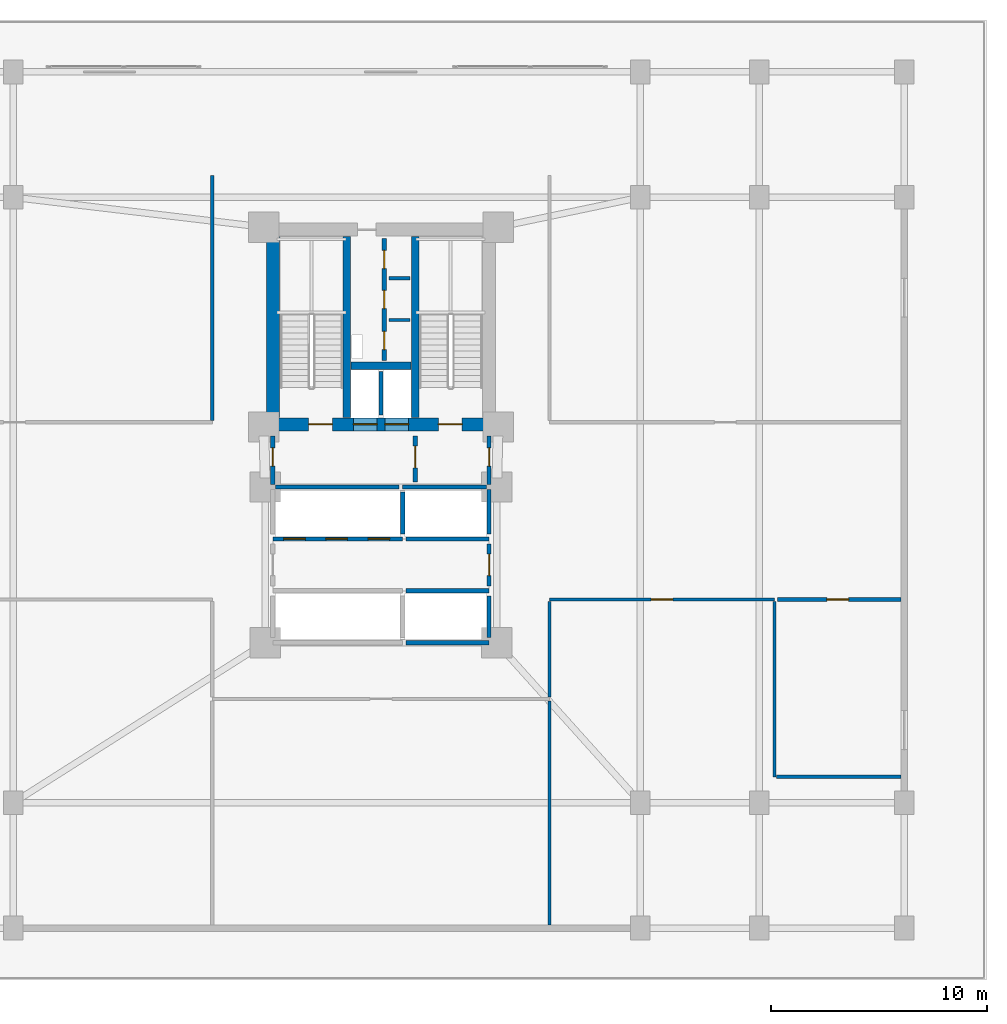
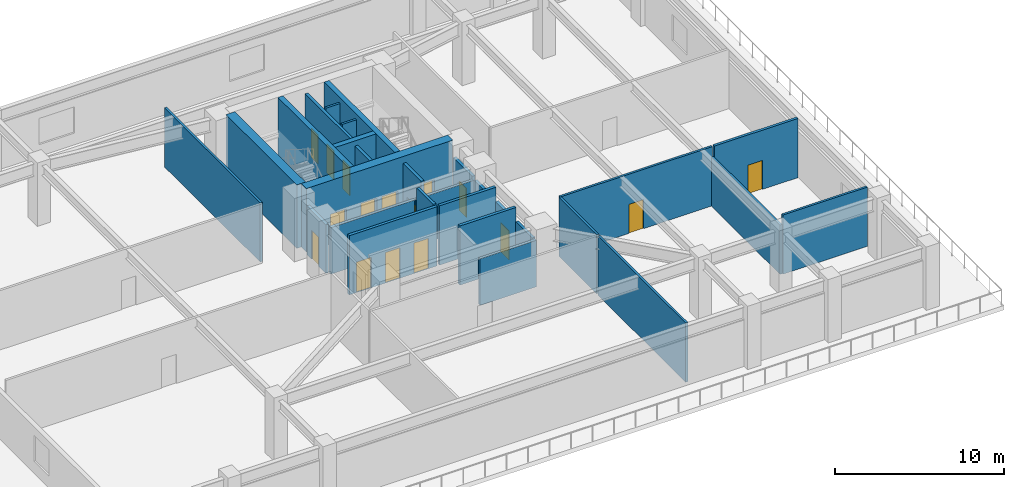
# One storey, part 6 of 10: 29 walls, 16 doors, 16 openings.
"""IFC4 building model written with IfcOpenShell, lengths in metres."""

from ifc_helpers import new_model, si_unit, direction, frame, frame_2d, origin, place, context, subcontext, project, spatial, rectangle, extrude, material, layer, layer_set, type_object, element, fill, save


model = new_model("IFC4")

# Units and contexts
model_context = context("Model", 3, precision=1e-05, world=origin(), true_north=direction((0.0, 1.0)))
body_context = subcontext(model_context, "Body", "Model", "MODEL_VIEW")
ifc_project = project(units=[si_unit("LENGTHUNIT", "METRE"), si_unit("AREAUNIT", "SQUARE_METRE"), si_unit("VOLUMEUNIT", "CUBIC_METRE"), si_unit("PLANEANGLEUNIT", "RADIAN"), si_unit("MASSUNIT", "GRAM", prefix="KILO")], contexts=[model_context])

# Site, building, storey
site_placement = place(None, origin())
site = spatial("IfcSite", under=ifc_project, at=site_placement, CompositionType="ELEMENT")
building_placement = place(site_placement, origin())
building = spatial("IfcBuilding", under=site, at=building_placement, Name="Varnakorn Sky Granary", CompositionType="ELEMENT")
storey_placement = place(building_placement, frame((0.0, 0.0, 13.800048828125)))
storey = spatial("IfcBuildingStorey", under=building, at=storey_placement, Name="L03", CompositionType="ELEMENT", Elevation=13.800048828125)

# Walls
ifc_material_1 = material(Name="Concrete C50/60", Category="concrete")
ifc_layer_1 = layer(ifc_material_1, 0.35009765625, Name="Concrete C50/60")
ifc_layer_set_1 = layer_set([ifc_layer_1], Name="Concrete C50/60")
wall_type_1 = type_object("IfcWallType", Name="WT-CW-INT-350", PredefinedType="SHEAR", material=ifc_layer_set_1)
for number, where, z_axis, x_axis, name in (
    (1, (1.419921875, 3.81005859375, 0.0), (0.0, 0.0, 1.0), (0.0, 1.0, 0.0), "Stair ST-1 Core Wall L03"),
    (2, (4.580078125, 3.81005859375, 0.0), (0.0, 0.0, 1.0), (0.0, 1.0, 0.0), "Stair ST-2 Core Wall L03"),
):
    element("IfcWall", number, at=place(storey_placement, frame(where, z_axis=z_axis, x_axis=x_axis)), inside=storey, type_object=wall_type_1, Name=name, PredefinedType="SHEAR", context=body_context, shape_type="SweptSolid", body=[
        extrude(rectangle(XDim=8.3798828125, YDim=0.35009765625, at=frame_2d((4.18994140625, 0.0))), origin(), (0.0, 0.0, 1.0), 4.592041015625),
    ])
wall_1_placement = place(storey_placement, frame((1.610107421875, 6.199951171875, 0.0), z_axis=(0.0, 0.0, 1.0), x_axis=(1.0, 0.0, 0.0)))
element("IfcWall", 3, at=wall_1_placement, inside=storey, type_object=wall_type_1, Name="Core Lift Shaft Cross Wall L03", PredefinedType="SHEAR", context=body_context, shape_type="SweptSolid", body=[
    extrude(rectangle(XDim=2.77978515625, YDim=0.35009765625, at=frame_2d((1.389892578125, 0.0))), origin(), (0.0, 0.0, 1.0), 4.592041015625),
])

# Wall, openings, doors
ifc_material_2 = material(Name="Concrete C60/75", Category="concrete")
ifc_layer_2 = layer(ifc_material_2, 0.60009765625, Name="Concrete C60/75")
ifc_layer_set_2 = layer_set([ifc_layer_2], Name="Concrete C60/75")
wall_type_2 = type_object("IfcWallType", Name="WT-CW-SHEAR-600", PredefinedType="SHEAR", material=ifc_layer_set_2)
wall_2_placement = place(storey_placement, frame((-2.0, 3.5, 0.0), z_axis=(0.0, 0.0, 1.0), x_axis=(1.0, 0.0, 0.0)))
wall_2 = element("IfcWall", 4, at=wall_2_placement, inside=storey, type_object=wall_type_2, Name="Core South Shear Wall L03", PredefinedType="SHEAR", context=body_context, shape_type="SweptSolid", body=[
    extrude(rectangle(XDim=10.0, YDim=0.60009765625, at=frame_2d((5.0, 0.0))), origin(), (0.0, 0.0, 1.0), 4.592041015625),
])
opening_1_placement = place(wall_2_placement, frame((1.64990234375, 0.0, 0.0)))
opening_1 = element("IfcOpeningElement", 5, at=opening_1_placement, cuts=wall_2, Name="Opening FD-90", PredefinedType="OPENING", context=body_context, shape_type="SweptSolid", body=[
    extrude(rectangle(XDim=1.10009765625, YDim=2.14990234375, at=frame_2d((0.550048828125, 1.074951171875))), frame((0.0, 0.31005859375, 0.0), z_axis=(0.0, -1.0, 0.0), x_axis=(1.0, 0.0, 0.0)), (0.0, 0.0, 1.0), 0.6201171875),
])
opening_2_placement = place(wall_2_placement, frame((7.64990234375, 0.0, 0.0)))
opening_2 = element("IfcOpeningElement", 6, at=opening_2_placement, cuts=wall_2, Name="Opening FD-90", PredefinedType="OPENING", context=body_context, shape_type="SweptSolid", body=[
    extrude(rectangle(XDim=1.10009765625, YDim=2.14990234375, at=frame_2d((0.550048828125, 1.074951171875))), frame((0.0, 0.31005859375, 0.0), z_axis=(0.0, -1.0, 0.0), x_axis=(1.0, 0.0, 0.0)), (0.0, 0.0, 1.0), 0.6201171875),
])
opening_3_placement = place(wall_2_placement, frame((3.719970703125, 0.0, 0.0)))
opening_3 = element("IfcOpeningElement", 7, at=opening_3_placement, cuts=wall_2, Name="Opening LD-01", PredefinedType="OPENING", context=body_context, shape_type="SweptSolid", body=[
    extrude(rectangle(XDim=1.10009765625, YDim=2.199951171875, at=frame_2d((0.550048828125, 1.10009765625))), frame((0.0, 0.31005859375, 0.0), z_axis=(0.0, -1.0, 0.0), x_axis=(1.0, 0.0, 0.0)), (0.0, 0.0, 1.0), 0.6201171875),
])
opening_4_placement = place(wall_2_placement, frame((5.179931640625, 0.0, 0.0)))
opening_4 = element("IfcOpeningElement", 8, at=opening_4_placement, cuts=wall_2, Name="Opening LD-01", PredefinedType="OPENING", context=body_context, shape_type="SweptSolid", body=[
    extrude(rectangle(XDim=1.10009765625, YDim=2.199951171875, at=frame_2d((0.550048828125, 1.10009765625))), frame((0.0, 0.31005859375, 0.0), z_axis=(0.0, -1.0, 0.0), x_axis=(1.0, 0.0, 0.0)), (0.0, 0.0, 1.0), 0.6201171875),
])
ifc_material_3 = material(Name="Brushed Bronze Stainless Steel", Category="steel")
door_type_1 = type_object("IfcDoorType", Name="DR-LD-1100", OperationType="DOUBLE_DOOR_SLIDING", PredefinedType="DOOR", material=ifc_material_3)
door_1_placement = place(opening_3_placement, origin())
door_1 = element("IfcDoor", 9, at=door_1_placement, inside=storey, type_object=door_type_1, Name="Firefighting Lift FFL-1 Landing Door L03", OperationType="DOUBLE_DOOR_SLIDING", OverallHeight=2.199951171875, OverallWidth=1.10009765625, PredefinedType="DOOR", context=body_context, shape_type="SweptSolid", body=[
    extrude(rectangle(XDim=1.10009765625, YDim=2.199951171875, at=frame_2d((0.550048828125, 1.10009765625))), frame((0.0, 0.02490234375, 0.0), z_axis=(0.0, -1.0, 0.0), x_axis=(1.0, 0.0, 0.0)), (0.0, 0.0, 1.0), 0.050048828125),
])
fill(opening_3, door_1)
door_2_placement = place(opening_4_placement, origin())
door_2 = element("IfcDoor", 10, at=door_2_placement, inside=storey, type_object=door_type_1, Name="Firefighting Lift FFL-2 Landing Door L03", OperationType="DOUBLE_DOOR_SLIDING", OverallHeight=2.199951171875, OverallWidth=1.10009765625, PredefinedType="DOOR", context=body_context, shape_type="SweptSolid", body=[
    extrude(rectangle(XDim=1.10009765625, YDim=2.199951171875, at=frame_2d((0.550048828125, 1.10009765625))), frame((0.0, 0.02490234375, 0.0), z_axis=(0.0, -1.0, 0.0), x_axis=(1.0, 0.0, 0.0)), (0.0, 0.0, 1.0), 0.050048828125),
])
fill(opening_4, door_2)
ifc_material_4 = material(Name="Galvanised Painted Steel Leaf", Category="steel")
door_type_2 = type_object("IfcDoorType", Name="DR-STAIR-1100", OperationType="NOTDEFINED", PredefinedType="DOOR", material=ifc_material_4)
door_3_placement = place(opening_1_placement, origin())
door_3 = element("IfcDoor", 11, at=door_3_placement, inside=storey, type_object=door_type_2, Name="Stair ST-1 Protected Fire Door L03", OperationType="SINGLE_SWING_LEFT", OverallHeight=2.14990234375, OverallWidth=1.10009765625, PredefinedType="DOOR", context=body_context, shape_type="SweptSolid", body=[
    extrude(rectangle(XDim=1.10009765625, YDim=2.14990234375, at=frame_2d((0.550048828125, 1.074951171875))), frame((0.0, 0.02490234375, 0.0), z_axis=(0.0, -1.0, 0.0), x_axis=(1.0, 0.0, 0.0)), (0.0, 0.0, 1.0), 0.050048828125),
])
fill(opening_1, door_3)
door_4_placement = place(opening_2_placement, origin())
door_4 = element("IfcDoor", 12, at=door_4_placement, inside=storey, type_object=door_type_2, Name="Stair ST-2 Protected Fire Door L03", OperationType="SINGLE_SWING_RIGHT", OverallHeight=2.14990234375, OverallWidth=1.10009765625, PredefinedType="DOOR", context=body_context, shape_type="SweptSolid", body=[
    extrude(rectangle(XDim=1.10009765625, YDim=2.14990234375, at=frame_2d((0.550048828125, 1.074951171875))), frame((0.0, 0.02490234375, 0.0), z_axis=(0.0, -1.0, 0.0), x_axis=(1.0, 0.0, 0.0)), (0.0, 0.0, 1.0), 0.050048828125),
])
fill(opening_2, door_4)

# Wall
wall_3_placement = place(storey_placement, frame((-2.0, 3.81005859375, 0.0), z_axis=(0.0, 0.0, 1.0), x_axis=(0.0, 1.0, 0.0)))
element("IfcWall", 13, at=wall_3_placement, inside=storey, type_object=wall_type_2, Name="Core West Shear Wall L03", PredefinedType="SHEAR", context=body_context, shape_type="SweptSolid", body=[
    extrude(rectangle(XDim=8.3798828125, YDim=0.60009765625, at=frame_2d((4.18994140625, 0.0))), origin(), (0.0, 0.0, 1.0), 4.592041015625),
])

# Wall, openings, doors
ifc_material_5 = material(Name="Autoclaved Aerated Concrete Blockwork", Category="masonry")
ifc_layer_3 = layer(ifc_material_5, 0.199951171875, Name="Autoclaved Aerated Concrete Blockwork")
ifc_layer_set_3 = layer_set([ifc_layer_3], Name="Autoclaved Aerated Concrete Blockwork")
wall_type_3 = type_object("IfcWallType", Name="WT-FIRE-200", PredefinedType="MOVABLE", material=ifc_layer_set_3)
wall_4_placement = place(storey_placement, frame((3.14990234375, 6.449951171875, 0.0), z_axis=(0.0, 0.0, 1.0), x_axis=(0.0, 1.0, 0.0)))
wall_4 = element("IfcWall", 14, at=wall_4_placement, inside=storey, type_object=wall_type_3, Name="Interior Partition Wall L03-015", PredefinedType="MOVABLE", context=body_context, shape_type="SweptSolid", body=[
    extrude(rectangle(XDim=5.650146484375, YDim=0.199951171875, at=frame_2d((2.8251953125, 0.0))), origin(), (0.0, 0.0, 1.0), 4.280029296875),
])
opening_5_placement = place(wall_4_placement, frame((0.5, 0.0, 0.0)))
opening_5 = element("IfcOpeningElement", 15, at=opening_5_placement, cuts=wall_4, Name="Opening FD-60N", PredefinedType="OPENING", context=body_context, shape_type="SweptSolid", body=[
    extrude(rectangle(XDim=0.85009765625, YDim=2.10009765625, at=frame_2d((0.425048828125, 1.050048828125))), frame((0.0, 0.10986328125, 0.0), z_axis=(0.0, -1.0, 0.0), x_axis=(1.0, 0.0, 0.0)), (0.0, 0.0, 1.0), 0.219970703125),
])
opening_6_placement = place(wall_4_placement, frame((2.39990234375, 0.0, 0.0)))
opening_6 = element("IfcOpeningElement", 16, at=opening_6_placement, cuts=wall_4, Name="Opening FD-60N", PredefinedType="OPENING", context=body_context, shape_type="SweptSolid", body=[
    extrude(rectangle(XDim=0.85009765625, YDim=2.10009765625, at=frame_2d((0.425048828125, 1.050048828125))), frame((0.0, 0.10986328125, 0.0), z_axis=(0.0, -1.0, 0.0), x_axis=(1.0, 0.0, 0.0)), (0.0, 0.0, 1.0), 0.219970703125),
])
opening_7_placement = place(wall_4_placement, frame((4.25, 0.0, 0.0)))
opening_7 = element("IfcOpeningElement", 17, at=opening_7_placement, cuts=wall_4, Name="Opening FD-60N", PredefinedType="OPENING", context=body_context, shape_type="SweptSolid", body=[
    extrude(rectangle(XDim=0.85009765625, YDim=2.10009765625, at=frame_2d((0.425048828125, 1.050048828125))), frame((0.0, 0.10986328125, 0.0), z_axis=(0.0, -1.0, 0.0), x_axis=(1.0, 0.0, 0.0)), (0.0, 0.0, 1.0), 0.219970703125),
])
ifc_material_6 = material(Name="Acoustic Timber Fire Leaf", Category="wood")
door_type_3 = type_object("IfcDoorType", Name="DR-FD60-850", OperationType="NOTDEFINED", PredefinedType="DOOR", material=ifc_material_6)
door_5_placement = place(opening_5_placement, origin())
door_5 = element("IfcDoor", 18, at=door_5_placement, inside=storey, type_object=door_type_3, Name="Interior Door L03-015-1", OperationType="SINGLE_SWING_RIGHT", OverallHeight=2.10009765625, OverallWidth=0.85009765625, PredefinedType="DOOR", context=body_context, shape_type="SweptSolid", body=[
    extrude(rectangle(XDim=0.85009765625, YDim=2.10009765625, at=frame_2d((0.425048828125, 1.050048828125))), frame((0.0, 0.02490234375, 0.0), z_axis=(0.0, -1.0, 0.0), x_axis=(1.0, 0.0, 0.0)), (0.0, 0.0, 1.0), 0.050048828125),
])
fill(opening_5, door_5)
door_6_placement = place(opening_6_placement, origin())
door_6 = element("IfcDoor", 19, at=door_6_placement, inside=storey, type_object=door_type_3, Name="Interior Door L03-015-2", OperationType="SINGLE_SWING_LEFT", OverallHeight=2.10009765625, OverallWidth=0.85009765625, PredefinedType="DOOR", context=body_context, shape_type="SweptSolid", body=[
    extrude(rectangle(XDim=0.85009765625, YDim=2.10009765625, at=frame_2d((0.425048828125, 1.050048828125))), frame((0.0, 0.02490234375, 0.0), z_axis=(0.0, -1.0, 0.0), x_axis=(1.0, 0.0, 0.0)), (0.0, 0.0, 1.0), 0.050048828125),
])
fill(opening_6, door_6)
door_7_placement = place(opening_7_placement, origin())
door_7 = element("IfcDoor", 20, at=door_7_placement, inside=storey, type_object=door_type_3, Name="Interior Door L03-015-3", OperationType="SINGLE_SWING_RIGHT", OverallHeight=2.10009765625, OverallWidth=0.85009765625, PredefinedType="DOOR", context=body_context, shape_type="SweptSolid", body=[
    extrude(rectangle(XDim=0.85009765625, YDim=2.10009765625, at=frame_2d((0.425048828125, 1.050048828125))), frame((0.0, 0.02490234375, 0.0), z_axis=(0.0, -1.0, 0.0), x_axis=(1.0, 0.0, 0.0)), (0.0, 0.0, 1.0), 0.050048828125),
])
fill(opening_7, door_7)

# Wall, opening, door
wall_5_placement = place(storey_placement, frame((4.580078125, 0.830078125, 0.0), z_axis=(0.0, 0.0, 1.0), x_axis=(0.0, 1.0, 0.0)))
wall_5 = element("IfcWall", 21, at=wall_5_placement, inside=storey, type_object=wall_type_3, Name="Interior Partition Wall L03-016", PredefinedType="MOVABLE", context=body_context, shape_type="SweptSolid", body=[
    extrude(rectangle(XDim=2.139892578125, YDim=0.199951171875, at=frame_2d((1.06982421875, 0.0))), origin(), (0.0, 0.0, 1.0), 4.280029296875),
])
opening_8_placement = place(wall_5_placement, frame((0.659912109375, 0.0, 0.0)))
opening_8 = element("IfcOpeningElement", 22, at=opening_8_placement, cuts=wall_5, Name="Opening FD-60", PredefinedType="OPENING", context=body_context, shape_type="SweptSolid", body=[
    extrude(rectangle(XDim=1.0, YDim=2.10009765625, at=frame_2d((0.5, 1.050048828125))), frame((0.0, 0.10986328125, 0.0), z_axis=(0.0, -1.0, 0.0), x_axis=(1.0, 0.0, 0.0)), (0.0, 0.0, 1.0), 0.219970703125),
])
door_type_4 = type_object("IfcDoorType", Name="DR-FD60-1000", OperationType="NOTDEFINED", PredefinedType="DOOR", material=ifc_material_6)
door_8_placement = place(opening_8_placement, origin())
door_8 = element("IfcDoor", 23, at=door_8_placement, inside=storey, type_object=door_type_4, Name="Interior Door L03-016-1", OperationType="SINGLE_SWING_LEFT", OverallHeight=2.10009765625, OverallWidth=1.0, PredefinedType="DOOR", context=body_context, shape_type="SweptSolid", body=[
    extrude(rectangle(XDim=1.0, YDim=2.10009765625, at=frame_2d((0.5, 1.050048828125))), frame((0.0, 0.02490234375, 0.0), z_axis=(0.0, -1.0, 0.0), x_axis=(1.0, 0.0, 0.0)), (0.0, 0.0, 1.0), 0.050048828125),
])
fill(opening_8, door_8)

wall_6_placement = place(storey_placement, frame((-2.0, 0.719970703125, 0.0), z_axis=(0.0, 0.0, 1.0), x_axis=(0.0, 1.0, 0.0)))
wall_6 = element("IfcWall", 24, at=wall_6_placement, inside=storey, type_object=wall_type_3, Name="Interior Partition Wall L03-017", PredefinedType="MOVABLE", context=body_context, shape_type="SweptSolid", body=[
    extrude(rectangle(XDim=2.25, YDim=0.199951171875, at=frame_2d((1.125, 0.0))), origin(), (0.0, 0.0, 1.0), 3.511962890625),
])
opening_9_placement = place(wall_6_placement, frame((0.844970703125, 0.0, 0.0)))
opening_9 = element("IfcOpeningElement", 25, at=opening_9_placement, cuts=wall_6, Name="Opening FD-60N", PredefinedType="OPENING", context=body_context, shape_type="SweptSolid", body=[
    extrude(rectangle(XDim=0.85009765625, YDim=2.10009765625, at=frame_2d((0.425048828125, 1.050048828125))), frame((0.0, 0.10986328125, 0.0), z_axis=(0.0, -1.0, 0.0), x_axis=(1.0, 0.0, 0.0)), (0.0, 0.0, 1.0), 0.219970703125),
])
door_9_placement = place(opening_9_placement, origin())
door_9 = element("IfcDoor", 26, at=door_9_placement, inside=storey, type_object=door_type_3, Name="Interior Door L03-017-1", OperationType="SINGLE_SWING_RIGHT", OverallHeight=2.10009765625, OverallWidth=0.85009765625, PredefinedType="DOOR", context=body_context, shape_type="SweptSolid", body=[
    extrude(rectangle(XDim=0.85009765625, YDim=2.10009765625, at=frame_2d((0.425048828125, 1.050048828125))), frame((0.0, 0.02490234375, 0.0), z_axis=(0.0, -1.0, 0.0), x_axis=(1.0, 0.0, 0.0)), (0.0, 0.0, 1.0), 0.050048828125),
])
fill(opening_9, door_9)

wall_7_placement = place(storey_placement, frame((8.0, 0.719970703125, 0.0), z_axis=(0.0, 0.0, 1.0), x_axis=(0.0, 1.0, 0.0)))
wall_7 = element("IfcWall", 27, at=wall_7_placement, inside=storey, type_object=wall_type_3, Name="Interior Partition Wall L03-018", PredefinedType="MOVABLE", context=body_context, shape_type="SweptSolid", body=[
    extrude(rectangle(XDim=2.25, YDim=0.199951171875, at=frame_2d((1.125, 0.0))), origin(), (0.0, 0.0, 1.0), 3.511962890625),
])
opening_10_placement = place(wall_7_placement, frame((0.844970703125, 0.0, 0.0)))
opening_10 = element("IfcOpeningElement", 28, at=opening_10_placement, cuts=wall_7, Name="Opening FD-60N", PredefinedType="OPENING", context=body_context, shape_type="SweptSolid", body=[
    extrude(rectangle(XDim=0.85009765625, YDim=2.10009765625, at=frame_2d((0.425048828125, 1.050048828125))), frame((0.0, 0.10986328125, 0.0), z_axis=(0.0, -1.0, 0.0), x_axis=(1.0, 0.0, 0.0)), (0.0, 0.0, 1.0), 0.219970703125),
])
door_10_placement = place(opening_10_placement, origin())
door_10 = element("IfcDoor", 29, at=door_10_placement, inside=storey, type_object=door_type_3, Name="Interior Door L03-018-1", OperationType="SINGLE_SWING_LEFT", OverallHeight=2.10009765625, OverallWidth=0.85009765625, PredefinedType="DOOR", context=body_context, shape_type="SweptSolid", body=[
    extrude(rectangle(XDim=0.85009765625, YDim=2.10009765625, at=frame_2d((0.425048828125, 1.050048828125))), frame((0.0, 0.02490234375, 0.0), z_axis=(0.0, -1.0, 0.0), x_axis=(1.0, 0.0, 0.0)), (0.0, 0.0, 1.0), 0.050048828125),
])
fill(opening_10, door_10)

wall_8_placement = place(storey_placement, frame((8.0, -3.969970703125, 0.0), z_axis=(0.0, 0.0, 1.0), x_axis=(0.0, 1.0, 0.0)))
wall_8 = element("IfcWall", 30, at=wall_8_placement, inside=storey, type_object=wall_type_3, Name="Interior Partition Wall L03-020", PredefinedType="MOVABLE", context=body_context, shape_type="SweptSolid", body=[
    extrude(rectangle(XDim=1.93994140625, YDim=0.199951171875, at=frame_2d((0.969970703125, 0.0))), origin(), (0.0, 0.0, 1.0), 3.362060546875),
])
opening_11_placement = place(wall_8_placement, frame((0.469970703125, 0.0, 0.0)))
opening_11 = element("IfcOpeningElement", 31, at=opening_11_placement, cuts=wall_8, Name="Opening FD-60", PredefinedType="OPENING", context=body_context, shape_type="SweptSolid", body=[
    extrude(rectangle(XDim=1.0, YDim=2.10009765625, at=frame_2d((0.5, 1.050048828125))), frame((0.0, 0.10986328125, 0.0), z_axis=(0.0, -1.0, 0.0), x_axis=(1.0, 0.0, 0.0)), (0.0, 0.0, 1.0), 0.219970703125),
])
door_11_placement = place(opening_11_placement, origin())
door_11 = element("IfcDoor", 32, at=door_11_placement, inside=storey, type_object=door_type_4, Name="Interior Door L03-020-1", OperationType="SINGLE_SWING_LEFT", OverallHeight=2.10009765625, OverallWidth=1.0, PredefinedType="DOOR", context=body_context, shape_type="SweptSolid", body=[
    extrude(rectangle(XDim=1.0, YDim=2.10009765625, at=frame_2d((0.5, 1.050048828125))), frame((0.0, 0.02490234375, 0.0), z_axis=(0.0, -1.0, 0.0), x_axis=(1.0, 0.0, 0.0)), (0.0, 0.0, 1.0), 0.050048828125),
])
fill(opening_11, door_11)

# Wall
wall_9_placement = place(storey_placement, frame((-1.8798828125, 0.60009765625, 0.0), z_axis=(0.0, 0.0, 1.0), x_axis=(1.0, 0.0, 0.0)))
element("IfcWall", 33, at=wall_9_placement, inside=storey, type_object=wall_type_3, Name="Interior Partition Wall L03-029", PredefinedType="MOVABLE", context=body_context, shape_type="SweptSolid", body=[
    extrude(rectangle(XDim=5.719970703125, YDim=0.199951171875, at=frame_2d((2.85986328125, 0.0))), origin(), (0.0, 0.0, 1.0), 3.362060546875),
])

# Wall, opening, door
ifc_material_7 = material(Name="Gypsum Plasterboard on Steel Stud", Category="steel")
ifc_layer_4 = layer(ifc_material_7, 0.14990234375, Name="Gypsum Plasterboard on Steel Stud")
ifc_layer_set_4 = layer_set([ifc_layer_4], Name="Gypsum Plasterboard on Steel Stud")
wall_type_4 = type_object("IfcWallType", Name="WT-PART-150", PredefinedType="PARTITIONING", material=ifc_layer_set_4)
wall_10_placement = place(storey_placement, frame((10.800048828125, -4.60009765625, 0.0), z_axis=(0.0, 0.0, 1.0), x_axis=(1.0, 0.0, 0.0)))
wall_10 = element("IfcWall", 34, at=wall_10_placement, inside=storey, type_object=wall_type_4, Name="Interior Partition Wall L03-024", PredefinedType="PARTITIONING", context=body_context, shape_type="SweptSolid", body=[
    extrude(rectangle(XDim=10.39990234375, YDim=0.14990234375, at=frame_2d((5.199951171875, 0.0))), origin(), (0.0, 0.0, 1.0), 4.280029296875),
])
opening_12_placement = place(wall_10_placement, frame((4.699951171875, 0.0, 0.0)))
opening_12 = element("IfcOpeningElement", 35, at=opening_12_placement, cuts=wall_10, Name="Opening ID-100", PredefinedType="OPENING", context=body_context, shape_type="SweptSolid", body=[
    extrude(rectangle(XDim=1.0, YDim=2.10009765625, at=frame_2d((0.5, 1.050048828125))), frame((0.0, 0.0849609375, 0.0), z_axis=(0.0, -1.0, 0.0), x_axis=(1.0, 0.0, 0.0)), (0.0, 0.0, 1.0), 0.169921875),
])
ifc_material_8 = material(Name="Solid-Core Teak Veneer Leaf", Category="timber")
door_type_5 = type_object("IfcDoorType", Name="DR-INT-1000", OperationType="NOTDEFINED", PredefinedType="DOOR", material=ifc_material_8)
door_12_placement = place(opening_12_placement, origin())
door_12 = element("IfcDoor", 36, at=door_12_placement, inside=storey, type_object=door_type_5, Name="Interior Door L03-024-1", OperationType="SINGLE_SWING_LEFT", OverallHeight=2.10009765625, OverallWidth=1.0, PredefinedType="DOOR", context=body_context, shape_type="SweptSolid", body=[
    extrude(rectangle(XDim=1.0, YDim=2.10009765625, at=frame_2d((0.5, 1.050048828125))), frame((0.0, 0.02490234375, 0.0), z_axis=(0.0, -1.0, 0.0), x_axis=(1.0, 0.0, 0.0)), (0.0, 0.0, 1.0), 0.050048828125),
])
fill(opening_12, door_12)

# Walls
for number, where, z_axis, x_axis, name in (
    (37, (3.3701171875, 8.320068359375, 0.0), (0.0, 0.0, 1.0), (1.0, 0.0, 0.0), "Interior Partition Wall L03-027"),
    (38, (3.3701171875, 10.260009765625, 0.0), (0.0, 0.0, 1.0), (1.0, 0.0, 0.0), "Interior Partition Wall L03-028"),
):
    element("IfcWall", number, at=place(storey_placement, frame(where, z_axis=z_axis, x_axis=x_axis)), inside=storey, type_object=wall_type_4, Name=name, PredefinedType="PARTITIONING", context=body_context, shape_type="SweptSolid", body=[
        extrude(rectangle(XDim=0.97998046875, YDim=0.14990234375, at=frame_2d((0.489990234375, 0.0))), origin(), (0.0, 0.0, 1.0), 4.280029296875),
    ])
wall_11_placement = place(storey_placement, frame((-4.800048828125, 15.0, 0.0), z_axis=(0.0, 0.0, 1.0), x_axis=(0.0, -1.0, 0.0)))
element("IfcWall", 39, at=wall_11_placement, inside=storey, type_object=wall_type_4, Name="Interior Partition Wall L03-030", PredefinedType="PARTITIONING", context=body_context, shape_type="SweptSolid", body=[
    extrude(rectangle(XDim=11.31494140625, YDim=0.14990234375, at=frame_2d((5.657470703125, 0.0))), origin(), (0.0, 0.0, 1.0), 4.280029296875),
])
wall_12_placement = place(storey_placement, frame((10.800048828125, -9.114990234375, 0.0), z_axis=(0.0, 0.0, 1.0), x_axis=(0.0, 1.0, 0.0)))
element("IfcWall", 40, at=wall_12_placement, inside=storey, type_object=wall_type_4, Name="Interior Partition Wall L03-035", PredefinedType="PARTITIONING", context=body_context, shape_type="SweptSolid", body=[
    extrude(rectangle(XDim=4.429931640625, YDim=0.14990234375, at=frame_2d((2.21484375, 0.0))), origin(), (0.0, 0.0, 1.0), 4.280029296875),
])
wall_13_placement = place(storey_placement, frame((21.199951171875, -4.68505859375, 0.0), z_axis=(0.0, 0.0, 1.0), x_axis=(0.0, -1.0, 0.0)))
element("IfcWall", 41, at=wall_13_placement, inside=storey, type_object=wall_type_4, Name="Interior Partition Wall L03-037", PredefinedType="PARTITIONING", context=body_context, shape_type="SweptSolid", body=[
    extrude(rectangle(XDim=8.114990234375, YDim=0.14990234375, at=frame_2d((4.0576171875, 0.0))), origin(), (0.0, 0.0, 1.0), 3.56201171875),
])
wall_14_placement = place(storey_placement, frame((21.284912109375, -12.800048828125, 0.0), z_axis=(0.0, 0.0, 1.0), x_axis=(1.0, 0.0, 0.0)))
element("IfcWall", 42, at=wall_14_placement, inside=storey, type_object=wall_type_4, Name="Interior Partition Wall L03-038", PredefinedType="PARTITIONING", context=body_context, shape_type="SweptSolid", body=[
    extrude(rectangle(XDim=5.76513671875, YDim=0.14990234375, at=frame_2d((2.882568359375, 0.0))), origin(), (0.0, 0.0, 1.0), 4.280029296875),
])
wall_15_placement = place(storey_placement, frame((10.800048828125, -19.64990234375, 0.0), z_axis=(0.0, 0.0, 1.0), x_axis=(0.0, 1.0, 0.0)))
element("IfcWall", 43, at=wall_15_placement, inside=storey, type_object=wall_type_4, Name="Interior Partition Wall L03-039", PredefinedType="PARTITIONING", context=body_context, shape_type="SweptSolid", body=[
    extrude(rectangle(XDim=10.364990234375, YDim=0.14990234375, at=frame_2d((5.1826171875, 0.0))), origin(), (0.0, 0.0, 1.0), 4.280029296875),
])

# Wall, opening, door
ifc_material_9 = material(Name="Moisture-Resistant Gypsum on Stud", Category="gypsum")
ifc_layer_5 = layer(ifc_material_9, 0.179931640625, Name="Moisture-Resistant Gypsum on Stud")
ifc_layer_set_5 = layer_set([ifc_layer_5], Name="Moisture-Resistant Gypsum on Stud")
wall_type_5 = type_object("IfcWallType", Name="WT-PLUMB-180", PredefinedType="PLUMBINGWALL", material=ifc_layer_set_5)
wall_16_placement = place(storey_placement, frame((21.3349609375, -4.60009765625, 0.0), z_axis=(0.0, 0.0, 1.0), x_axis=(1.0, 0.0, 0.0)))
wall_16 = element("IfcWall", 44, at=wall_16_placement, inside=storey, type_object=wall_type_5, Name="Interior Partition Wall L03-025", PredefinedType="PLUMBINGWALL", context=body_context, shape_type="SweptSolid", body=[
    extrude(rectangle(XDim=5.715087890625, YDim=0.179931640625, at=frame_2d((2.857421875, 0.0))), origin(), (0.0, 0.0, 1.0), 4.280029296875),
])
opening_13_placement = place(wall_16_placement, frame((2.2900390625, 0.0, 0.0)))
opening_13 = element("IfcOpeningElement", 45, at=opening_13_placement, cuts=wall_16, Name="Opening ID-100", PredefinedType="OPENING", context=body_context, shape_type="SweptSolid", body=[
    extrude(rectangle(XDim=1.0, YDim=2.10009765625, at=frame_2d((0.5, 1.050048828125))), frame((0.0, 0.10009765625, 0.0), z_axis=(0.0, -1.0, 0.0), x_axis=(1.0, 0.0, 0.0)), (0.0, 0.0, 1.0), 0.199951171875),
])
door_13_placement = place(opening_13_placement, origin())
door_13 = element("IfcDoor", 46, at=door_13_placement, inside=storey, type_object=door_type_5, Name="Interior Door L03-025-1", OperationType="SINGLE_SWING_RIGHT", OverallHeight=2.10009765625, OverallWidth=1.0, PredefinedType="DOOR", context=body_context, shape_type="SweptSolid", body=[
    extrude(rectangle(XDim=1.0, YDim=2.10009765625, at=frame_2d((0.5, 1.050048828125))), frame((0.0, 0.02490234375, 0.0), z_axis=(0.0, -1.0, 0.0), x_axis=(1.0, 0.0, 0.0)), (0.0, 0.0, 1.0), 0.050048828125),
])
fill(opening_13, door_13)

# Walls
ifc_layer_6 = layer(ifc_material_5, 0.199951171875, Name="Autoclaved Aerated Concrete Blockwork")
ifc_layer_set_6 = layer_set([ifc_layer_6], Name="Autoclaved Aerated Concrete Blockwork")
wall_type_6 = type_object("IfcWallType", Name="WT-SHAFT-200", PredefinedType="SOLIDWALL", material=ifc_layer_set_6)
wall_17_placement = place(storey_placement, frame((3.0, 3.919921875, 0.0), z_axis=(0.0, 0.0, 1.0), x_axis=(0.0, 1.0, 0.0)))
element("IfcWall", 47, at=wall_17_placement, inside=storey, type_object=wall_type_6, Name="Interior Partition Wall L03-001", PredefinedType="SOLIDWALL", context=body_context, shape_type="SweptSolid", body=[
    extrude(rectangle(XDim=2.030029296875, YDim=0.199951171875, at=frame_2d((1.01513671875, 0.0))), origin(), (0.0, 0.0, 1.0), 4.280029296875),
])
wall_18_placement = place(storey_placement, frame((4.0, 0.60009765625, 0.0), z_axis=(0.0, 0.0, 1.0), x_axis=(1.0, 0.0, 0.0)))
element("IfcWall", 48, at=wall_18_placement, inside=storey, type_object=wall_type_6, Name="Interior Partition Wall L03-002", PredefinedType="SOLIDWALL", context=body_context, shape_type="SweptSolid", body=[
    extrude(rectangle(XDim=3.8798828125, YDim=0.199951171875, at=frame_2d((1.93994140625, 0.0))), origin(), (0.0, 0.0, 1.0), 3.362060546875),
])

# Wall, openings, doors
wall_19_placement = place(storey_placement, frame((-2.0, -1.800048828125, 0.0), z_axis=(0.0, 0.0, 1.0), x_axis=(1.0, 0.0, 0.0)))
wall_19 = element("IfcWall", 49, at=wall_19_placement, inside=storey, type_object=wall_type_6, Name="Interior Partition Wall L03-003", PredefinedType="SOLIDWALL", context=body_context, shape_type="SweptSolid", body=[
    extrude(rectangle(XDim=6.0, YDim=0.199951171875, at=frame_2d((3.0, 0.0))), origin(), (0.0, 0.0, 1.0), 4.280029296875),
])
opening_14_placement = place(wall_19_placement, frame((0.5, 0.0, 0.0)))
opening_14 = element("IfcOpeningElement", 50, at=opening_14_placement, cuts=wall_19, Name="Opening LD-03", PredefinedType="OPENING", context=body_context, shape_type="SweptSolid", body=[
    extrude(rectangle(XDim=1.0, YDim=2.199951171875, at=frame_2d((0.5, 1.10009765625))), frame((0.0, 0.10986328125, 0.0), z_axis=(0.0, -1.0, 0.0), x_axis=(1.0, 0.0, 0.0)), (0.0, 0.0, 1.0), 0.219970703125),
])
opening_15_placement = place(wall_19_placement, frame((2.449951171875, 0.0, 0.0)))
opening_15 = element("IfcOpeningElement", 51, at=opening_15_placement, cuts=wall_19, Name="Opening LD-03", PredefinedType="OPENING", context=body_context, shape_type="SweptSolid", body=[
    extrude(rectangle(XDim=1.0, YDim=2.199951171875, at=frame_2d((0.5, 1.10009765625))), frame((0.0, 0.10986328125, 0.0), z_axis=(0.0, -1.0, 0.0), x_axis=(1.0, 0.0, 0.0)), (0.0, 0.0, 1.0), 0.219970703125),
])
opening_16_placement = place(wall_19_placement, frame((4.39990234375, 0.0, 0.0)))
opening_16 = element("IfcOpeningElement", 52, at=opening_16_placement, cuts=wall_19, Name="Opening LD-03", PredefinedType="OPENING", context=body_context, shape_type="SweptSolid", body=[
    extrude(rectangle(XDim=1.0, YDim=2.199951171875, at=frame_2d((0.5, 1.10009765625))), frame((0.0, 0.10986328125, 0.0), z_axis=(0.0, -1.0, 0.0), x_axis=(1.0, 0.0, 0.0)), (0.0, 0.0, 1.0), 0.219970703125),
])
door_type_6 = type_object("IfcDoorType", Name="DR-LD-1000", OperationType="DOUBLE_DOOR_SLIDING", PredefinedType="DOOR", material=ifc_material_3)
door_14_placement = place(opening_14_placement, origin())
door_14 = element("IfcDoor", 53, at=door_14_placement, inside=storey, type_object=door_type_6, Name="Passenger Lift PL-L1 Sliding Landing Door L03", OperationType="DOUBLE_DOOR_SLIDING", OverallHeight=2.199951171875, OverallWidth=1.0, PredefinedType="DOOR", context=body_context, shape_type="SweptSolid", body=[
    extrude(rectangle(XDim=1.0, YDim=2.199951171875, at=frame_2d((0.5, 1.10009765625))), frame((0.0, 0.02490234375, 0.0), z_axis=(0.0, -1.0, 0.0), x_axis=(1.0, 0.0, 0.0)), (0.0, 0.0, 1.0), 0.050048828125),
])
fill(opening_14, door_14)
door_15_placement = place(opening_15_placement, origin())
door_15 = element("IfcDoor", 54, at=door_15_placement, inside=storey, type_object=door_type_6, Name="Passenger Lift PL-L2 Sliding Landing Door L03", OperationType="DOUBLE_DOOR_SLIDING", OverallHeight=2.199951171875, OverallWidth=1.0, PredefinedType="DOOR", context=body_context, shape_type="SweptSolid", body=[
    extrude(rectangle(XDim=1.0, YDim=2.199951171875, at=frame_2d((0.5, 1.10009765625))), frame((0.0, 0.02490234375, 0.0), z_axis=(0.0, -1.0, 0.0), x_axis=(1.0, 0.0, 0.0)), (0.0, 0.0, 1.0), 0.050048828125),
])
fill(opening_15, door_15)
door_16_placement = place(opening_16_placement, origin())
door_16 = element("IfcDoor", 55, at=door_16_placement, inside=storey, type_object=door_type_6, Name="Passenger Lift PL-L3 Sliding Landing Door L03", OperationType="DOUBLE_DOOR_SLIDING", OverallHeight=2.199951171875, OverallWidth=1.0, PredefinedType="DOOR", context=body_context, shape_type="SweptSolid", body=[
    extrude(rectangle(XDim=1.0, YDim=2.199951171875, at=frame_2d((0.5, 1.10009765625))), frame((0.0, 0.02490234375, 0.0), z_axis=(0.0, -1.0, 0.0), x_axis=(1.0, 0.0, 0.0)), (0.0, 0.0, 1.0), 0.050048828125),
])
fill(opening_16, door_16)

# Walls
wall_20_placement = place(storey_placement, frame((4.159912109375, -1.800048828125, 0.0), z_axis=(0.0, 0.0, 1.0), x_axis=(1.0, 0.0, 0.0)))
element("IfcWall", 56, at=wall_20_placement, inside=storey, type_object=wall_type_6, Name="Interior Partition Wall L03-005", PredefinedType="SOLIDWALL", context=body_context, shape_type="SweptSolid", body=[
    extrude(rectangle(XDim=3.840087890625, YDim=0.199951171875, at=frame_2d((1.919921875, 0.0))), origin(), (0.0, 0.0, 1.0), 4.280029296875),
])
wall_21_placement = place(storey_placement, frame((4.0, -1.570068359375, 0.0), z_axis=(0.0, 0.0, 1.0), x_axis=(0.0, 1.0, 0.0)))
element("IfcWall", 57, at=wall_21_placement, inside=storey, type_object=wall_type_6, Name="Interior Partition Wall L03-006", PredefinedType="SOLIDWALL", context=body_context, shape_type="SweptSolid", body=[
    extrude(rectangle(XDim=1.940185546875, YDim=0.199951171875, at=frame_2d((0.97021484375, 0.0))), origin(), (0.0, 0.0, 1.0), 4.280029296875),
])
wall_22_placement = place(storey_placement, frame((8.0, -1.570068359375, 0.0), z_axis=(0.0, 0.0, 1.0), x_axis=(0.0, 1.0, 0.0)))
element("IfcWall", 58, at=wall_22_placement, inside=storey, type_object=wall_type_6, Name="Interior Partition Wall L03-007", PredefinedType="SOLIDWALL", context=body_context, shape_type="SweptSolid", body=[
    extrude(rectangle(XDim=2.050048828125, YDim=0.199951171875, at=frame_2d((1.02490234375, 0.0))), origin(), (0.0, 0.0, 1.0), 3.362060546875),
])
wall_23_placement = place(storey_placement, frame((4.159912109375, -4.199951171875, 0.0), z_axis=(0.0, 0.0, 1.0), x_axis=(1.0, 0.0, 0.0)))
element("IfcWall", 59, at=wall_23_placement, inside=storey, type_object=wall_type_6, Name="Interior Partition Wall L03-011", PredefinedType="SOLIDWALL", context=body_context, shape_type="SweptSolid", body=[
    extrude(rectangle(XDim=3.840087890625, YDim=0.199951171875, at=frame_2d((1.919921875, 0.0))), origin(), (0.0, 0.0, 1.0), 4.280029296875),
])
wall_24_placement = place(storey_placement, frame((4.159912109375, -6.60009765625, 0.0), z_axis=(0.0, 0.0, 1.0), x_axis=(1.0, 0.0, 0.0)))
element("IfcWall", 60, at=wall_24_placement, inside=storey, type_object=wall_type_6, Name="Interior Partition Wall L03-012", PredefinedType="SOLIDWALL", context=body_context, shape_type="SweptSolid", body=[
    extrude(rectangle(XDim=3.840087890625, YDim=0.199951171875, at=frame_2d((1.919921875, 0.0))), origin(), (0.0, 0.0, 1.0), 3.362060546875),
])
wall_25_placement = place(storey_placement, frame((8.0, -6.3701171875, 0.0), z_axis=(0.0, 0.0, 1.0), x_axis=(0.0, 1.0, 0.0)))
element("IfcWall", 61, at=wall_25_placement, inside=storey, type_object=wall_type_6, Name="Interior Partition Wall L03-014", PredefinedType="SOLIDWALL", context=body_context, shape_type="SweptSolid", body=[
    extrude(rectangle(XDim=1.940185546875, YDim=0.199951171875, at=frame_2d((0.97021484375, 0.0))), origin(), (0.0, 0.0, 1.0), 3.362060546875),
])

save(model, "model.ifc")
